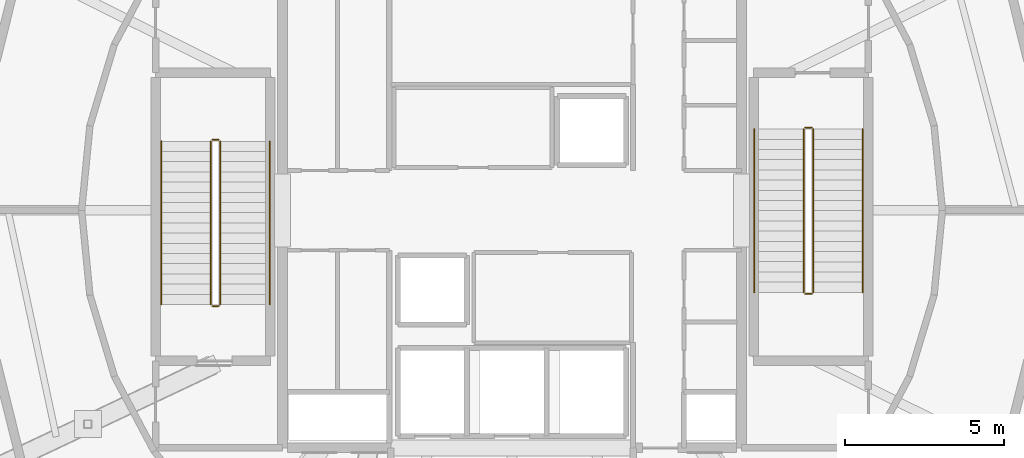
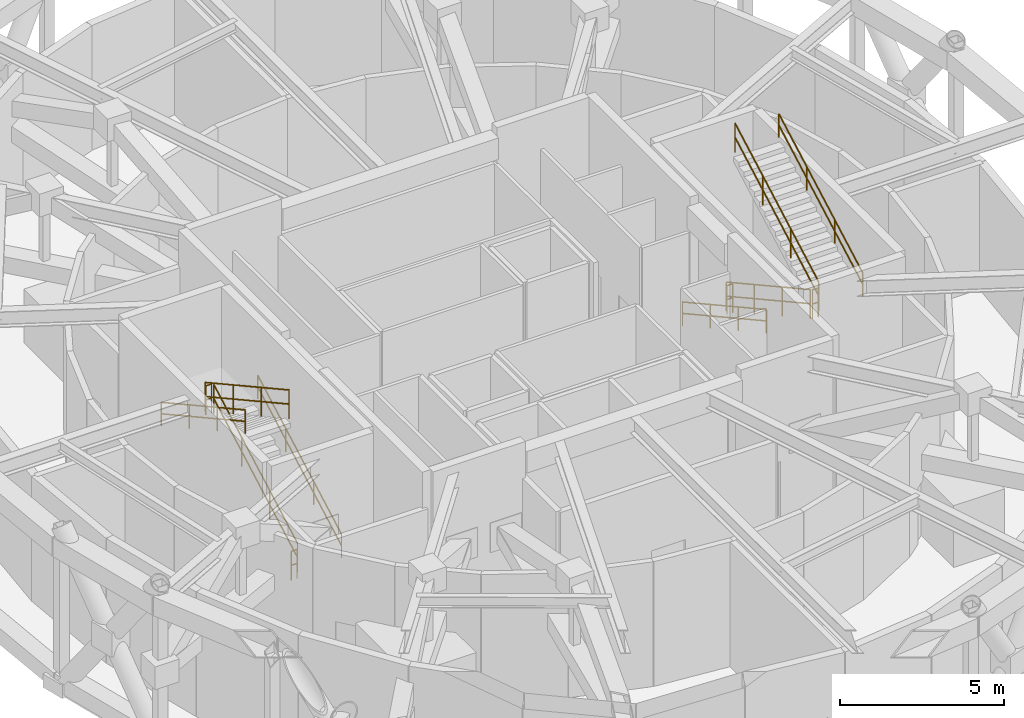
# One storey, part 10 of 11: 12 railings.
"""IFC4 building model written with IfcOpenShell, lengths in metres."""

from ifc_helpers import new_model, si_unit, direction, frame, origin, origin_2d, place, context, subcontext, project, spatial, circle, extrude, material, type_object, element, save


model = new_model("IFC4")

# Units and contexts
model_context = context("Model", 3, precision=1e-05, world=origin(), true_north=direction((0.0, 1.0)))
body_context = subcontext(model_context, "Body", "Model", "MODEL_VIEW")
ifc_project = project(units=[si_unit("LENGTHUNIT", "METRE"), si_unit("AREAUNIT", "SQUARE_METRE"), si_unit("VOLUMEUNIT", "CUBIC_METRE"), si_unit("PLANEANGLEUNIT", "RADIAN"), si_unit("MASSUNIT", "GRAM", prefix="KILO")], contexts=[model_context])

# Site, building, storey
site_placement = place(None, origin())
site = spatial("IfcSite", under=ifc_project, at=site_placement, CompositionType="ELEMENT")
building_placement = place(site_placement, origin())
building = spatial("IfcBuilding", under=site, at=building_placement, Name="Veldorina Hangang Commons", CompositionType="ELEMENT")
storey_placement = place(building_placement, frame((0.0, 0.0, 302.39990234375)))
storey = spatial("IfcBuildingStorey", under=building, at=storey_placement, Name="L79", CompositionType="ELEMENT", Elevation=302.39990234375)

# Railings
ifc_material_1 = material(Name="Steel Painted Balustrade", Category="steel")
railing_type_1 = type_object("IfcRailingType", Name="RL-GRD-STAIR", PredefinedType="GUARDRAIL", material=ifc_material_1)
railing_1_placement = place(storey_placement, frame((22.85009765625, 21.050048828125, 0.176513671875)))
element("IfcRailing", 1, at=railing_1_placement, inside=storey, type_object=railing_type_1, Name="L79 ST-1 stair guard 1", PredefinedType="GUARDRAIL", context=body_context, shape_type="SweptSolid", body=[
    extrude(circle(Radius=0.02392578125, at=origin_2d()), frame((0.0, 0.0, 1.076171875), z_axis=(0.0, 0.875669630806, 0.482910651865), x_axis=(-1.0, 0.0, 0.0)), (0.0, 0.0, 1.0), 5.846923828125),
    extrude(circle(Radius=0.02392578125, at=origin_2d()), frame((0.0, 0.0, 0.550048828125), z_axis=(0.0, 0.875669630806, 0.482910651865), x_axis=(-1.0, 0.0, 0.0)), (0.0, 0.0, 1.0), 5.846923828125),
    extrude(circle(Radius=0.02099609375, at=origin_2d()), origin(), (0.0, 0.0, 1.0), 1.052001953125),
    extrude(circle(Radius=0.02099609375, at=origin_2d()), frame((0.0, 1.70654296875, 0.941162109375)), (0.0, 0.0, 1.0), 1.052001953125),
    extrude(circle(Radius=0.02099609375, at=origin_2d()), frame((0.0, 3.413330078125, 1.88232421875)), (0.0, 0.0, 1.0), 1.052001953125),
    extrude(circle(Radius=0.02099609375, at=origin_2d()), frame((0.0, 5.119873046875, 2.823486328125)), (0.0, 0.0, 1.0), 1.052001953125),
])
railing_2_placement = place(storey_placement, frame((22.800048828125, 26.219970703125, 3.0)))
element("IfcRailing", 2, at=railing_2_placement, inside=storey, type_object=railing_type_1, Name="L79 ST-1 stair guard 2", PredefinedType="GUARDRAIL", context=body_context, shape_type="SweptSolid", body=[
    extrude(circle(Radius=0.02392578125, at=origin_2d()), frame((0.0, 0.0, 1.076171875), z_axis=(-1.0, 0.0, 0.0), x_axis=(0.0, -1.0, 0.0)), (0.0, 0.0, 1.0), 0.199951171875),
    extrude(circle(Radius=0.02392578125, at=origin_2d()), frame((0.0, 0.0, 0.550048828125), z_axis=(-1.0, 0.0, 0.0), x_axis=(0.0, -1.0, 0.0)), (0.0, 0.0, 1.0), 0.199951171875),
    extrude(circle(Radius=0.02099609375, at=origin_2d()), origin(), (0.0, 0.0, 1.0), 1.052001953125),
    extrude(circle(Radius=0.02099609375, at=origin_2d()), frame((-0.199951171875, 0.0, 0.0)), (0.0, 0.0, 1.0), 1.052001953125),
])
railing_3_placement = place(storey_placement, frame((22.550048828125, 26.169921875, 3.176513671875)))
element("IfcRailing", 3, at=railing_3_placement, inside=storey, type_object=railing_type_1, Name="L79 ST-1 stair guard 3", PredefinedType="GUARDRAIL", context=body_context, shape_type="SweptSolid", body=[
    extrude(circle(Radius=0.02392578125, at=origin_2d()), frame((0.0, 0.0, 1.076171875), z_axis=(0.0, -0.875669630806, 0.482910651865), x_axis=(1.0, 0.0, 0.0)), (0.0, 0.0, 1.0), 5.846923828125),
    extrude(circle(Radius=0.02392578125, at=origin_2d()), frame((0.0, 0.0, 0.550048828125), z_axis=(0.0, -0.875669630806, 0.482910651865), x_axis=(1.0, 0.0, 0.0)), (0.0, 0.0, 1.0), 5.846923828125),
    extrude(circle(Radius=0.02099609375, at=origin_2d()), origin(), (0.0, 0.0, 1.0), 1.052001953125),
    extrude(circle(Radius=0.02099609375, at=origin_2d()), frame((0.0, -1.70654296875, 0.941162109375)), (0.0, 0.0, 1.0), 1.052001953125),
    extrude(circle(Radius=0.02099609375, at=origin_2d()), frame((0.0, -3.413330078125, 1.88232421875)), (0.0, 0.0, 1.0), 1.052001953125),
    extrude(circle(Radius=0.02099609375, at=origin_2d()), frame((0.0, -5.119873046875, 2.823486328125)), (0.0, 0.0, 1.0), 1.052001953125),
])
railing_4_placement = place(storey_placement, frame((22.800048828125, 21.0, 0.0)))
element("IfcRailing", 4, at=railing_4_placement, inside=storey, type_object=railing_type_1, Name="L79 ST-1 stair guard 4", PredefinedType="GUARDRAIL", context=body_context, shape_type="SweptSolid", body=[
    extrude(circle(Radius=0.02392578125, at=origin_2d()), frame((0.0, 0.0, 1.076171875), z_axis=(-1.0, 0.0, 0.0), x_axis=(0.0, -1.0, 0.0)), (0.0, 0.0, 1.0), 0.199951171875),
    extrude(circle(Radius=0.02392578125, at=origin_2d()), frame((0.0, 0.0, 0.550048828125), z_axis=(-1.0, 0.0, 0.0), x_axis=(0.0, -1.0, 0.0)), (0.0, 0.0, 1.0), 0.199951171875),
    extrude(circle(Radius=0.02099609375, at=origin_2d()), origin(), (0.0, 0.0, 1.0), 1.052001953125),
    extrude(circle(Radius=0.02099609375, at=origin_2d()), frame((-0.199951171875, 0.0, 0.0)), (0.0, 0.0, 1.0), 1.052001953125),
])
railing_5_placement = place(storey_placement, frame((41.14990234375, 26.550048828125, 0.176513671875)))
element("IfcRailing", 5, at=railing_5_placement, inside=storey, type_object=railing_type_1, Name="L79 ST-2 stair guard 1", PredefinedType="GUARDRAIL", context=body_context, shape_type="SweptSolid", body=[
    extrude(circle(Radius=0.02392578125, at=origin_2d()), frame((0.0, 0.0, 1.076171875), z_axis=(0.0, -0.875679367934, 0.482892994953), x_axis=(1.0, 0.0, 0.0)), (0.0, 0.0, 1.0), 5.846923828125),
    extrude(circle(Radius=0.02392578125, at=origin_2d()), frame((0.0, 0.0, 0.550048828125), z_axis=(0.0, -0.875679367934, 0.482892994953), x_axis=(1.0, 0.0, 0.0)), (0.0, 0.0, 1.0), 5.846923828125),
    extrude(circle(Radius=0.02099609375, at=origin_2d()), origin(), (0.0, 0.0, 1.0), 1.052001953125),
    extrude(circle(Radius=0.02099609375, at=origin_2d()), frame((0.0, -1.706787109375, 0.941162109375)), (0.0, 0.0, 1.0), 1.052001953125),
    extrude(circle(Radius=0.02099609375, at=origin_2d()), frame((0.0, -3.413330078125, 1.88232421875)), (0.0, 0.0, 1.0), 1.052001953125),
    extrude(circle(Radius=0.02099609375, at=origin_2d()), frame((0.0, -5.1201171875, 2.823486328125)), (0.0, 0.0, 1.0), 1.052001953125),
])
railing_6_placement = place(storey_placement, frame((41.199951171875, 21.3798828125, 3.0)))
element("IfcRailing", 6, at=railing_6_placement, inside=storey, type_object=railing_type_1, Name="L79 ST-2 stair guard 2", PredefinedType="GUARDRAIL", context=body_context, shape_type="SweptSolid", body=[
    extrude(circle(Radius=0.02392578125, at=origin_2d()), frame((0.0, 0.0, 1.076171875), z_axis=(1.0, 0.0, 0.0), x_axis=(0.0, 1.0, 0.0)), (0.0, 0.0, 1.0), 0.199951171875),
    extrude(circle(Radius=0.02392578125, at=origin_2d()), frame((0.0, 0.0, 0.550048828125), z_axis=(1.0, 0.0, 0.0), x_axis=(0.0, 1.0, 0.0)), (0.0, 0.0, 1.0), 0.199951171875),
    extrude(circle(Radius=0.02099609375, at=origin_2d()), origin(), (0.0, 0.0, 1.0), 1.052001953125),
    extrude(circle(Radius=0.02099609375, at=origin_2d()), frame((0.199951171875, 0.0, 0.0)), (0.0, 0.0, 1.0), 1.052001953125),
])
railing_7_placement = place(storey_placement, frame((41.449951171875, 21.429931640625, 3.176513671875)))
element("IfcRailing", 7, at=railing_7_placement, inside=storey, type_object=railing_type_1, Name="L79 ST-2 stair guard 3", PredefinedType="GUARDRAIL", context=body_context, shape_type="SweptSolid", body=[
    extrude(circle(Radius=0.02392578125, at=origin_2d()), frame((0.0, 0.0, 1.076171875), z_axis=(0.0, 0.875679367934, 0.482892994953), x_axis=(-1.0, 0.0, 0.0)), (0.0, 0.0, 1.0), 5.846923828125),
    extrude(circle(Radius=0.02392578125, at=origin_2d()), frame((0.0, 0.0, 0.550048828125), z_axis=(0.0, 0.875679367934, 0.482892994953), x_axis=(-1.0, 0.0, 0.0)), (0.0, 0.0, 1.0), 5.846923828125),
    extrude(circle(Radius=0.02099609375, at=origin_2d()), origin(), (0.0, 0.0, 1.0), 1.052001953125),
    extrude(circle(Radius=0.02099609375, at=origin_2d()), frame((0.0, 1.706787109375, 0.941162109375)), (0.0, 0.0, 1.0), 1.052001953125),
    extrude(circle(Radius=0.02099609375, at=origin_2d()), frame((0.0, 3.413330078125, 1.88232421875)), (0.0, 0.0, 1.0), 1.052001953125),
    extrude(circle(Radius=0.02099609375, at=origin_2d()), frame((0.0, 5.1201171875, 2.823486328125)), (0.0, 0.0, 1.0), 1.052001953125),
])
railing_8_placement = place(storey_placement, frame((41.199951171875, 26.60009765625, 0.0)))
element("IfcRailing", 8, at=railing_8_placement, inside=storey, type_object=railing_type_1, Name="L79 ST-2 stair guard 4", PredefinedType="GUARDRAIL", context=body_context, shape_type="SweptSolid", body=[
    extrude(circle(Radius=0.02392578125, at=origin_2d()), frame((0.0, 0.0, 1.076171875), z_axis=(1.0, 0.0, 0.0), x_axis=(0.0, 1.0, 0.0)), (0.0, 0.0, 1.0), 0.199951171875),
    extrude(circle(Radius=0.02392578125, at=origin_2d()), frame((0.0, 0.0, 0.550048828125), z_axis=(1.0, 0.0, 0.0), x_axis=(0.0, 1.0, 0.0)), (0.0, 0.0, 1.0), 0.199951171875),
    extrude(circle(Radius=0.02099609375, at=origin_2d()), origin(), (0.0, 0.0, 1.0), 1.052001953125),
    extrude(circle(Radius=0.02099609375, at=origin_2d()), frame((0.199951171875, 0.0, 0.0)), (0.0, 0.0, 1.0), 1.052001953125),
])
ifc_material_2 = material(Name="Stainless Steel Brushed 316", Category="steel")
railing_type_2 = type_object("IfcRailingType", Name="RL-HND-STAIR", PredefinedType="HANDRAIL", material=ifc_material_2)
railing_9_placement = place(storey_placement, frame((24.39990234375, 21.050048828125, 0.176513671875)))
element("IfcRailing", 9, at=railing_9_placement, inside=storey, type_object=railing_type_2, Name="L79 ST-1 stair handrail 1", PredefinedType="HANDRAIL", context=body_context, shape_type="SweptSolid", body=[
    extrude(circle(Radius=0.02392578125, at=origin_2d()), frame((0.0, 0.0, 0.8759765625), z_axis=(0.0, 0.875669630806, 0.482910651865), x_axis=(-1.0, 0.0, 0.0)), (0.0, 0.0, 1.0), 5.846923828125),
    extrude(circle(Radius=0.02392578125, at=origin_2d()), frame((0.0, 0.0, 0.449951171875), z_axis=(0.0, 0.875669630806, 0.482910651865), x_axis=(-1.0, 0.0, 0.0)), (0.0, 0.0, 1.0), 5.846923828125),
    extrude(circle(Radius=0.02099609375, at=origin_2d()), origin(), (0.0, 0.0, 1.0), 0.851806640625),
    extrude(circle(Radius=0.02099609375, at=origin_2d()), frame((0.0, 1.70654296875, 0.941162109375)), (0.0, 0.0, 1.0), 0.851806640625),
    extrude(circle(Radius=0.02099609375, at=origin_2d()), frame((0.0, 3.413330078125, 1.88232421875)), (0.0, 0.0, 1.0), 0.851806640625),
    extrude(circle(Radius=0.02099609375, at=origin_2d()), frame((0.0, 5.119873046875, 2.823486328125)), (0.0, 0.0, 1.0), 0.851806640625),
])
railing_10_placement = place(storey_placement, frame((21.0, 26.169921875, 3.176513671875)))
element("IfcRailing", 10, at=railing_10_placement, inside=storey, type_object=railing_type_2, Name="L79 ST-1 stair handrail 2", PredefinedType="HANDRAIL", context=body_context, shape_type="SweptSolid", body=[
    extrude(circle(Radius=0.02392578125, at=origin_2d()), frame((0.0, 0.0, 0.8759765625), z_axis=(0.0, -0.875669630806, 0.482910651865), x_axis=(1.0, 0.0, 0.0)), (0.0, 0.0, 1.0), 5.846923828125),
    extrude(circle(Radius=0.02392578125, at=origin_2d()), frame((0.0, 0.0, 0.449951171875), z_axis=(0.0, -0.875669630806, 0.482910651865), x_axis=(1.0, 0.0, 0.0)), (0.0, 0.0, 1.0), 5.846923828125),
    extrude(circle(Radius=0.02099609375, at=origin_2d()), origin(), (0.0, 0.0, 1.0), 0.851806640625),
    extrude(circle(Radius=0.02099609375, at=origin_2d()), frame((0.0, -1.70654296875, 0.941162109375)), (0.0, 0.0, 1.0), 0.851806640625),
    extrude(circle(Radius=0.02099609375, at=origin_2d()), frame((0.0, -3.413330078125, 1.88232421875)), (0.0, 0.0, 1.0), 0.851806640625),
    extrude(circle(Radius=0.02099609375, at=origin_2d()), frame((0.0, -5.119873046875, 2.823486328125)), (0.0, 0.0, 1.0), 0.851806640625),
])
railing_11_placement = place(storey_placement, frame((39.60009765625, 26.550048828125, 0.176513671875)))
element("IfcRailing", 11, at=railing_11_placement, inside=storey, type_object=railing_type_2, Name="L79 ST-2 stair handrail 1", PredefinedType="HANDRAIL", context=body_context, shape_type="SweptSolid", body=[
    extrude(circle(Radius=0.02392578125, at=origin_2d()), frame((0.0, 0.0, 0.8759765625), z_axis=(0.0, -0.875679367934, 0.482892994953), x_axis=(1.0, 0.0, 0.0)), (0.0, 0.0, 1.0), 5.846923828125),
    extrude(circle(Radius=0.02392578125, at=origin_2d()), frame((0.0, 0.0, 0.449951171875), z_axis=(0.0, -0.875679367934, 0.482892994953), x_axis=(1.0, 0.0, 0.0)), (0.0, 0.0, 1.0), 5.846923828125),
    extrude(circle(Radius=0.02099609375, at=origin_2d()), origin(), (0.0, 0.0, 1.0), 0.851806640625),
    extrude(circle(Radius=0.02099609375, at=origin_2d()), frame((0.0, -1.706787109375, 0.941162109375)), (0.0, 0.0, 1.0), 0.851806640625),
    extrude(circle(Radius=0.02099609375, at=origin_2d()), frame((0.0, -3.413330078125, 1.88232421875)), (0.0, 0.0, 1.0), 0.851806640625),
    extrude(circle(Radius=0.02099609375, at=origin_2d()), frame((0.0, -5.1201171875, 2.823486328125)), (0.0, 0.0, 1.0), 0.851806640625),
])
railing_12_placement = place(storey_placement, frame((43.0, 21.429931640625, 3.176513671875)))
element("IfcRailing", 12, at=railing_12_placement, inside=storey, type_object=railing_type_2, Name="L79 ST-2 stair handrail 2", PredefinedType="HANDRAIL", context=body_context, shape_type="SweptSolid", body=[
    extrude(circle(Radius=0.02392578125, at=origin_2d()), frame((0.0, 0.0, 0.8759765625), z_axis=(0.0, 0.875679367934, 0.482892994953), x_axis=(-1.0, 0.0, 0.0)), (0.0, 0.0, 1.0), 5.846923828125),
    extrude(circle(Radius=0.02392578125, at=origin_2d()), frame((0.0, 0.0, 0.449951171875), z_axis=(0.0, 0.875679367934, 0.482892994953), x_axis=(-1.0, 0.0, 0.0)), (0.0, 0.0, 1.0), 5.846923828125),
    extrude(circle(Radius=0.02099609375, at=origin_2d()), origin(), (0.0, 0.0, 1.0), 0.851806640625),
    extrude(circle(Radius=0.02099609375, at=origin_2d()), frame((0.0, 1.706787109375, 0.941162109375)), (0.0, 0.0, 1.0), 0.851806640625),
    extrude(circle(Radius=0.02099609375, at=origin_2d()), frame((0.0, 3.413330078125, 1.88232421875)), (0.0, 0.0, 1.0), 0.851806640625),
    extrude(circle(Radius=0.02099609375, at=origin_2d()), frame((0.0, 5.1201171875, 2.823486328125)), (0.0, 0.0, 1.0), 0.851806640625),
])

save(model, "model.ifc")
